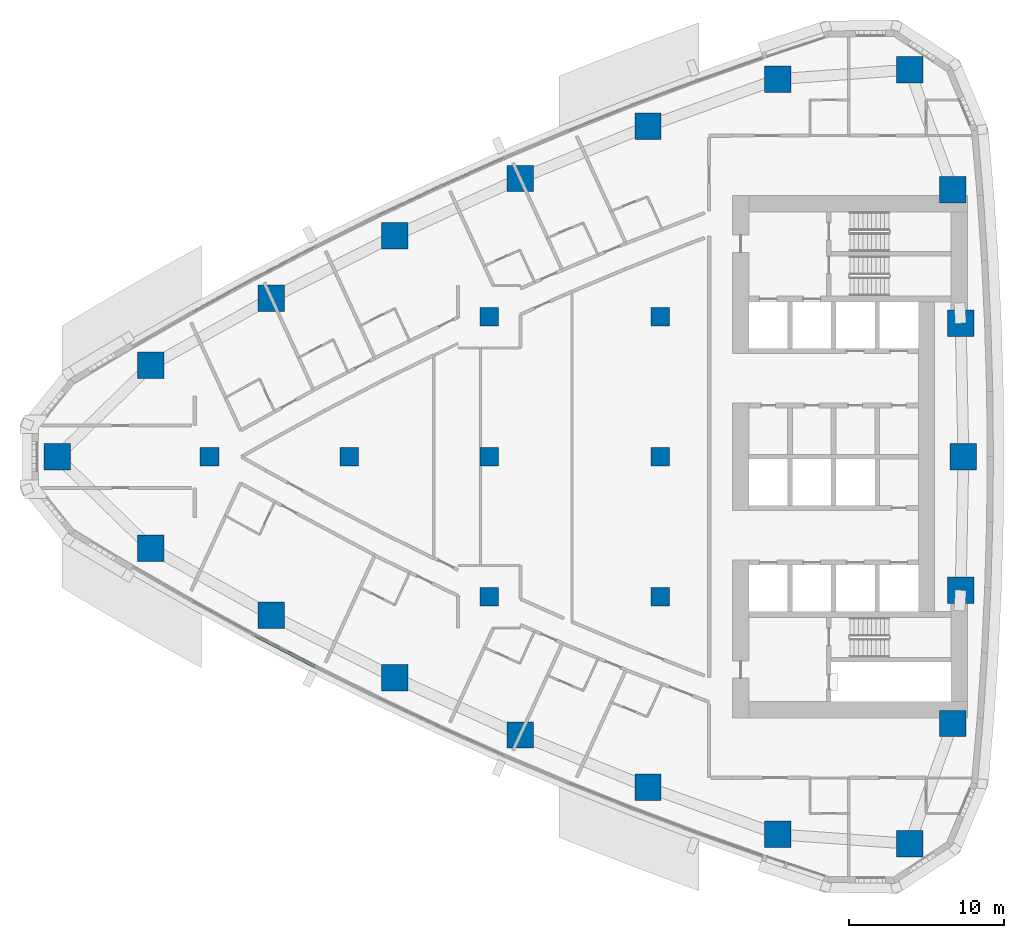
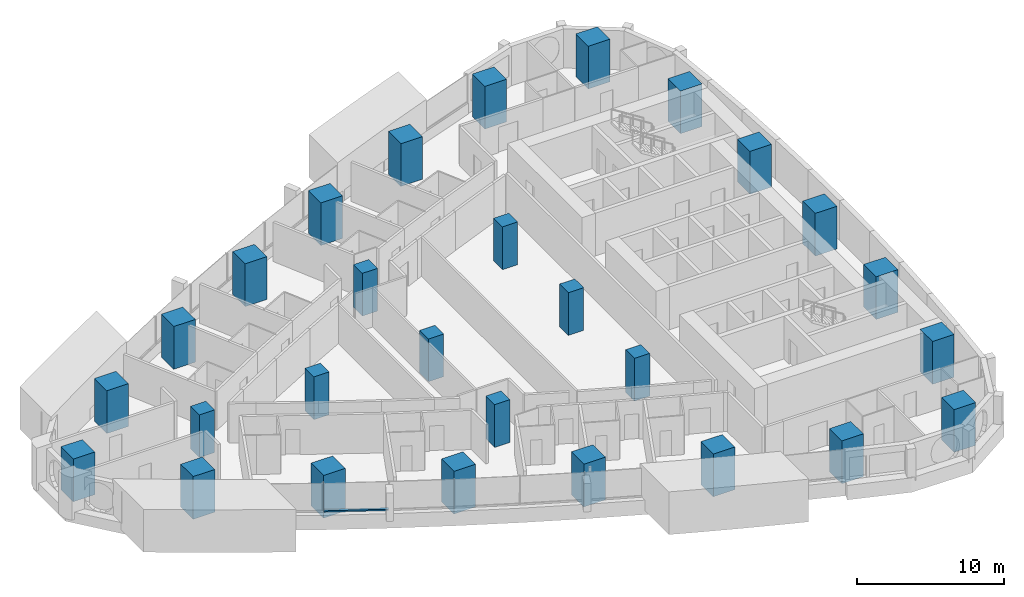
# One storey, part 1 of 17: 28 columns, 1 member, 1 element without a shape of its own.
"""IFC4 building model written with IfcOpenShell, lengths in metres."""

from ifc_helpers import new_model, si_unit, direction, frame, origin, origin_2d, place, context, subcontext, project, spatial, rectangle, extrude, material, layer, layer_set, material_profile, profile_set, type_object, element, aggregate, save


model = new_model("IFC4")

# Units and contexts
model_context = context("Model", 3, precision=1e-05, world=origin(), true_north=direction((0.0, 1.0)))
body_context = subcontext(model_context, "Body", "Model", "MODEL_VIEW")
ifc_project = project(units=[si_unit("LENGTHUNIT", "METRE"), si_unit("AREAUNIT", "SQUARE_METRE"), si_unit("VOLUMEUNIT", "CUBIC_METRE"), si_unit("PLANEANGLEUNIT", "RADIAN"), si_unit("MASSUNIT", "GRAM", prefix="KILO")], contexts=[model_context])

# Site, building, storey
site_placement = place(None, origin())
site = spatial("IfcSite", under=ifc_project, at=site_placement, CompositionType="ELEMENT")
building_placement = place(site_placement, origin())
building = spatial("IfcBuilding", under=site, at=building_placement, Name="Ostrand Prow Hotel Tower", CompositionType="ELEMENT")
storey_placement = place(building_placement, frame((0.0, 0.0, 84.89990234375)))
storey = spatial("IfcBuildingStorey", under=building, at=storey_placement, Name="L19", CompositionType="ELEMENT", Elevation=84.89990234375)

# Columns
ifc_material_1 = material(Name="Concrete C80/95", Category="concrete")
ifc_material_profile_1 = material_profile(ifc_material_1, rectangle(XDim=1.199951171875, YDim=1.199951171875, at=origin_2d()), Name="RC 1200x1200")
ifc_profile_set_1 = profile_set([ifc_material_profile_1], Name="Concrete C80/95")
column_type_1 = type_object("IfcColumnType", Name="Interior column 1200x1200 C80/95", PredefinedType="COLUMN", material=ifc_profile_set_1)
for number, where, z_axis, x_axis, name in (
    (1, (16.0, 0.0, 0.0), (0.0, 0.0, 1.0), (1.0, 0.0, 0.0), "Interior column 16C0"),
    (2, (25.0, 0.0, 0.0), (0.0, 0.0, 1.0), (1.0, 0.0, 0.0), "Interior column 25C0"),
    (3, (34.0, -9.0, 0.0), (0.0, 0.0, 1.0), (1.0, 0.0, 0.0), "Interior column 34S9"),
    (4, (34.0, 0.0, 0.0), (0.0, 0.0, 1.0), (1.0, 0.0, 0.0), "Interior column 34C0"),
    (5, (34.0, 9.0, 0.0), (0.0, 0.0, 1.0), (1.0, 0.0, 0.0), "Interior column 34N9"),
    (6, (45.0, -9.0, 0.0), (0.0, 0.0, 1.0), (1.0, 0.0, 0.0), "Interior column 45S9"),
    (7, (45.0, 0.0, 0.0), (0.0, 0.0, 1.0), (1.0, 0.0, 0.0), "Interior column 45C0"),
    (8, (45.0, 9.0, 0.0), (0.0, 0.0, 1.0), (1.0, 0.0, 0.0), "Interior column 45N9"),
):
    element("IfcColumn", number, at=place(storey_placement, frame(where, z_axis=z_axis, x_axis=x_axis)), inside=storey, type_object=column_type_1, Name=name, PredefinedType="COLUMN", context=body_context, shape_type="SweptSolid", body=[
        extrude(rectangle(XDim=1.199951171875, YDim=1.199951171875, at=origin_2d()), origin(), (0.0, 0.0, 1.0), 3.550048828125),
    ])
ifc_material_2 = material(Name="Concrete C80/95", Category="concrete")
ifc_material_profile_2 = material_profile(ifc_material_2, rectangle(XDim=1.699951171875, YDim=1.699951171875, at=origin_2d()), Name="RC 1700x1700")
ifc_profile_set_2 = profile_set([ifc_material_profile_2], Name="Concrete C80/95")
column_type_2 = type_object("IfcColumnType", Name="Stone-faced mega column 1700x1700 C80/95", PredefinedType="COLUMN", material=ifc_profile_set_2)
for number, where, z_axis, x_axis, name in (
    (9, (6.193115234375, 0.0, 0.0), (0.0, 0.0, 1.0), (1.0, 0.0, 0.0), "Mega column P"),
    (10, (12.221435546875, -5.876220703125, 0.0), (0.0, 0.0, 1.0), (1.0, 0.0, 0.0), "Mega column S1"),
    (11, (19.980712890625, -10.20166015625, 0.0), (0.0, 0.0, 1.0), (1.0, 0.0, 0.0), "Mega column S2"),
    (12, (27.906982421875, -14.212158203125, 0.0), (0.0, 0.0, 1.0), (1.0, 0.0, 0.0), "Mega column S3"),
    (13, (35.98828125, -17.901611328125, 0.0), (0.0, 0.0, 1.0), (1.0, 0.0, 0.0), "Mega column S4"),
    (14, (44.210693359375, -21.263671875, 0.0), (0.0, 0.0, 1.0), (1.0, 0.0, 0.0), "Mega column S5"),
    (15, (52.561767578125, -24.29296875, 0.0), (0.0, 0.0, 1.0), (1.0, 0.0, 0.0), "Mega column S6"),
    (16, (61.0400390625, -24.89697265625, 0.0), (0.0, 0.0, 1.0), (1.0, 0.0, 0.0), "Mega column SE"),
    (17, (63.815673828125, -17.16357421875, 0.0), (0.0, 0.0, 1.0), (1.0, 0.0, 0.0), "Mega column B1"),
    (18, (64.328857421875, -8.588623046875, 0.0), (0.0, 0.0, 1.0), (1.0, 0.0, 0.0), "Mega column B2"),
    (19, (64.5, 0.0, 0.0), (0.0, 0.0, 1.0), (1.0, 0.0, 0.0), "Mega column B3"),
    (20, (64.328857421875, 8.588623046875, 0.0), (0.0, 0.0, 1.0), (1.0, 0.0, 0.0), "Mega column B4"),
    (21, (63.815673828125, 17.16357421875, 0.0), (0.0, 0.0, 1.0), (1.0, 0.0, 0.0), "Mega column B5"),
    (22, (61.0400390625, 24.89697265625, 0.0), (0.0, 0.0, 1.0), (1.0, 0.0, 0.0), "Mega column NE"),
    (23, (52.561767578125, 24.29296875, 0.0), (0.0, 0.0, 1.0), (1.0, 0.0, 0.0), "Mega column N1"),
    (24, (44.210693359375, 21.263671875, 0.0), (0.0, 0.0, 1.0), (1.0, 0.0, 0.0), "Mega column N2"),
    (25, (35.98828125, 17.901611328125, 0.0), (0.0, 0.0, 1.0), (1.0, 0.0, 0.0), "Mega column N3"),
    (26, (27.906982421875, 14.212158203125, 0.0), (0.0, 0.0, 1.0), (1.0, 0.0, 0.0), "Mega column N4"),
    (27, (19.980712890625, 10.20166015625, 0.0), (0.0, 0.0, 1.0), (1.0, 0.0, 0.0), "Mega column N5"),
    (28, (12.221435546875, 5.876220703125, 0.0), (0.0, 0.0, 1.0), (1.0, 0.0, 0.0), "Mega column N6"),
):
    element("IfcColumn", number, at=place(storey_placement, frame(where, z_axis=z_axis, x_axis=x_axis)), inside=storey, type_object=column_type_2, Name=name, PredefinedType="COLUMN", context=body_context, shape_type="SweptSolid", body=[
        extrude(rectangle(XDim=1.699951171875, YDim=1.699951171875, at=origin_2d()), origin(), (0.0, 0.0, 1.0), 3.550048828125),
    ])

# Curtain wall, member
ifc_material_3 = material(Name="Insulated glass in bronze anodised frame", Category="glass")
ifc_layer = layer(ifc_material_3, 0.199951171875)
ifc_layer_set = layer_set([ifc_layer], Name="Insulated glass in bronze anodised frame")
curtain_wall_type = type_object("IfcCurtainWallType", Name="Strip curtain wall, fritted glass over bronze spandrel", PredefinedType="NOTDEFINED", material=ifc_layer_set)
curtain_wall_placement = place(storey_placement, origin())
curtain_wall = element("IfcCurtainWall", 29, at=curtain_wall_placement, inside=storey, type_object=curtain_wall_type, Name="CW1 run CWS2", PredefinedType="NOTDEFINED")
ifc_material_4 = material(Name="Bronze anodised aluminium", Category="aluminium")
ifc_material_profile_3 = material_profile(ifc_material_4, rectangle(XDim=0.199951171875, YDim=0.1201171875, at=origin_2d()), Name="Transom 120x200 bronze anodised aluminium")
ifc_profile_set_3 = profile_set([ifc_material_profile_3], Name="Bronze anodised aluminium")
member_type = type_object("IfcMemberType", Name="Transom 120x200 bronze anodised aluminium", PredefinedType="USERDEFINED", material=ifc_profile_set_3)
member_placement = place(storey_placement, frame((18.89697265625, -11.475830078125, 0.960205078125), z_axis=(0.886901787206, -0.461958028235, 0.0), x_axis=(0.461958028235, 0.886901787206, 0.0)))
member = element("IfcMember", 30, at=member_placement, type_object=member_type, Name="CW1 transom 1.1", ObjectType="TRANSOM", PredefinedType="USERDEFINED", context=body_context, shape_type="SweptSolid", body=[
    extrude(rectangle(XDim=0.199951171875, YDim=0.1201171875, at=origin_2d()), origin(), (0.0, 0.0, 1.0), 4.406005859375),
])
aggregate(curtain_wall, [member])

save(model, "model.ifc")
